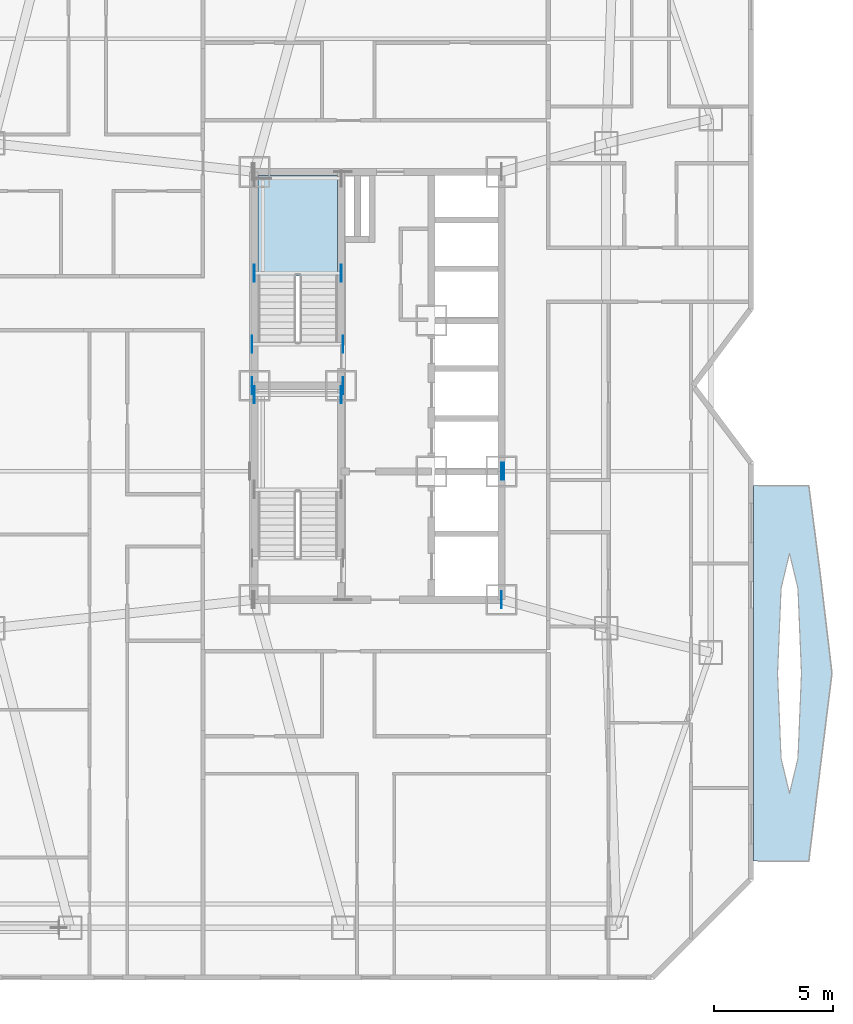
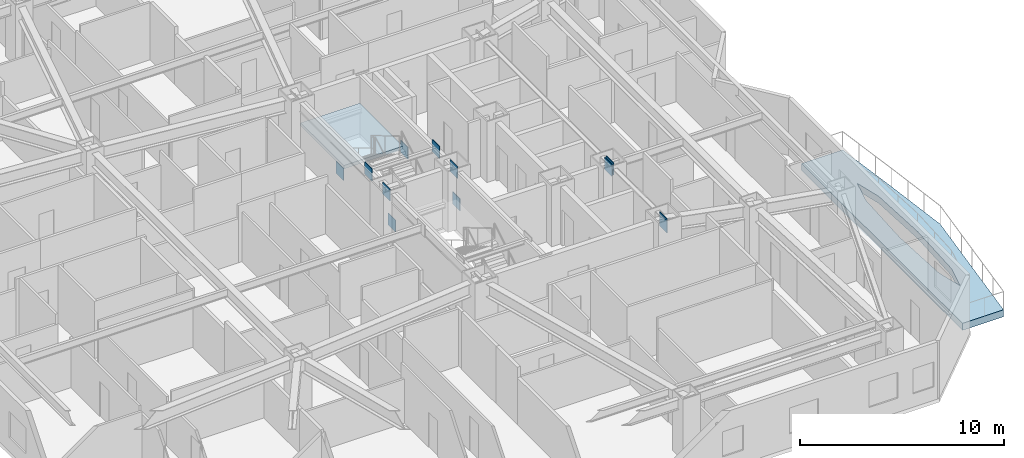
# One storey, part 4 of 16: 12 plates, 2 slabs, 1 element without a shape of its own.
"""IFC4 building model written with IfcOpenShell, lengths in metres."""

from ifc_helpers import new_model, si_unit, direction, frame, origin, origin_2d, place, context, subcontext, project, spatial, polyline, rectangle, outline, extrude, material, layer, layer_set, type_object, element, aggregate, save


model = new_model("IFC4")

# Units and contexts
model_context = context("Model", 3, precision=1e-05, world=origin(), true_north=direction((0.0, 1.0)))
body_context = subcontext(model_context, "Body", "Model", "MODEL_VIEW")
ifc_project = project(units=[si_unit("LENGTHUNIT", "METRE"), si_unit("AREAUNIT", "SQUARE_METRE"), si_unit("VOLUMEUNIT", "CUBIC_METRE"), si_unit("PLANEANGLEUNIT", "RADIAN"), si_unit("MASSUNIT", "GRAM", prefix="KILO")], contexts=[model_context])

# Site, building, storey
site_placement = place(None, origin())
site = spatial("IfcSite", under=ifc_project, at=site_placement, CompositionType="ELEMENT")
building_placement = place(site_placement, origin())
building = spatial("IfcBuilding", under=site, at=building_placement, Name="Khamvora Tower", CompositionType="ELEMENT")
storey_placement = place(building_placement, frame((0.0, 0.0, 77.10009765625)))
storey = spatial("IfcBuildingStorey", under=building, at=storey_placement, Name="L19", CompositionType="ELEMENT", Elevation=77.10009765625)

# Plates
ifc_material_1 = material(Name="Steel S460", Category="steel")
ifc_layer_1 = layer(ifc_material_1, 0.034912109375)
ifc_layer_set_1 = layer_set([ifc_layer_1], Name="Steel S460")
plate_type = type_object("IfcPlateType", Name="PL-EMB-35", PredefinedType="SHEET", material=ifc_layer_set_1)
for number, where, z_axis, x_axis, name in (
    (1, (29.0, 27.6298828125, 1.1337890625), (0.0, 0.0, 1.0), (1.0, 0.0, 0.0), "L19 core shear wall cast-in embed plate 0564"),
    (2, (32.64990234375, 27.6298828125, 1.1337890625), (0.0, 0.0, 1.0), (1.0, 0.0, 0.0), "L19 core shear wall cast-in embed plate 0565"),
    (3, (29.0, 32.735107421875, 1.1337890625), (0.0, 0.0, 1.0), (1.0, 0.0, 0.0), "L19 core shear wall cast-in embed plate 0566"),
    (4, (32.64990234375, 32.735107421875, 1.1337890625), (0.0, 0.0, 1.0), (1.0, 0.0, 0.0), "L19 core shear wall cast-in embed plate 0567"),
    (5, (39.39990234375, 19.0, 2.68408203125), (0.0, 0.0, 1.0), (1.0, 0.0, 0.0), "L19 core shear wall cast-in embed plate 0573"),
    (6, (28.89990234375, 28.0, 2.8037109375), (0.0, 0.0, 1.0), (1.0, 0.0, 0.0), "L19 core shear wall cast-in embed plate 0576"),
    (7, (32.72998046875, 28.0, 2.8037109375), (0.0, 0.0, 1.0), (1.0, 0.0, 0.0), "L19 core shear wall cast-in embed plate 0579"),
    (8, (39.39990234375, 19.0, 2.8037109375), (0.0, 0.0, 1.0), (1.0, 0.0, 0.0), "L19 core shear wall cast-in embed plate 0581"),
    (9, (39.39990234375, 24.39990234375, 2.8037109375), (0.0, 0.0, 1.0), (1.0, 0.0, 0.0), "L19 core shear wall cast-in embed plate 0582"),
    (10, (28.89990234375, 29.75, 2.94384765625), (0.0, 0.0, 1.0), (1.0, 0.0, 0.0), "L19 core shear wall cast-in embed plate 0586"),
    (11, (32.72998046875, 29.75, 2.94384765625), (0.0, 0.0, 1.0), (1.0, 0.0, 0.0), "L19 core shear wall cast-in embed plate 0587"),
    (12, (39.4990234375, 24.39990234375, 2.83984375), (0.0, 0.0, 1.0), (1.0, 0.0, 0.0), "L19 core shear wall cast-in embed plate 0589"),
):
    element("IfcPlate", number, at=place(storey_placement, frame(where, z_axis=z_axis, x_axis=x_axis)), inside=storey, type_object=plate_type, Name=name, PredefinedType="SHEET", context=body_context, shape_type="SweptSolid", body=[
        extrude(rectangle(XDim=0.034912109375, YDim=0.719970703125, at=origin_2d()), origin(), (0.0, 0.0, 1.0), 0.719970703125),
    ])

# Slab
ifc_material_2 = material(Name="Concrete C40/50", Category="concrete")
ifc_layer_2 = layer(ifc_material_2, 0.419921875)
ifc_layer_set_2 = layer_set([ifc_layer_2], Name="Concrete C40/50")
slab_type_1 = type_object("IfcSlabType", Name="SLB-GRD-420", PredefinedType="FLOOR", material=ifc_layer_set_2)
slab_1_placement = place(storey_placement, frame((0.0, 0.0, -0.420166015625)))
element("IfcSlab", 13, at=slab_1_placement, inside=storey, type_object=slab_type_1, Name="L19 external lens gallery slab EL1", PredefinedType="FLOOR", context=body_context, shape_type="SweptSolid", body=[
    extrude(outline(polyline([(52.324951171875, 8.0), (52.81005859375, 11.949951171875), (53.300048828125, 15.89990234375), (52.833984375, 19.85009765625), (52.325927734375, 23.800048828125), (50.0, 23.800048828125), (50.0, 8.0), (52.324951171875, 8.0)]), holes=[polyline([(52.01904296875, 15.89990234375), (51.87109375, 19.47509765625), (51.514892578125, 20.9560546875), (51.158935546875, 19.47509765625), (51.010986328125, 15.89990234375), (51.158935546875, 12.324951171875), (51.514892578125, 10.843994140625), (51.87109375, 12.324951171875), (52.01904296875, 15.89990234375)])]), origin(), (0.0, 0.0, 1.0), 0.420166015625),
])

# Stair, slab
stair_type = type_object("IfcStairType", Name="STR-ST-02", PredefinedType="HALF_TURN_STAIR", material=ifc_material_2)
stair_placement = place(storey_placement, origin())
stair = element("IfcStair", 14, at=stair_placement, inside=storey, type_object=stair_type, Name="L19 North Tower Exit Stair ST-02", PredefinedType="HALF_TURN_STAIR")
ifc_layer_3 = layer(ifc_material_2, 0.199951171875)
ifc_layer_set_3 = layer_set([ifc_layer_3], Name="Concrete C40/50")
slab_type_2 = type_object("IfcSlabType", Name="SLB-LND-200", PredefinedType="LANDING", material=ifc_layer_set_3)
slab_2_placement = place(storey_placement, frame((0.0, 0.0, 1.625)))
slab_2 = element("IfcSlab", 15, at=slab_2_placement, type_object=slab_type_2, Name="ST-02 landing 1", PredefinedType="LANDING", context=body_context, shape_type="SweptSolid", body=[
    extrude(outline(polyline([(32.5, 32.614990234375), (32.5, 36.85009765625), (29.14990234375, 36.85009765625), (29.14990234375, 32.614990234375), (32.5, 32.614990234375)])), origin(), (0.0, 0.0, 1.0), 0.199951171875),
])
aggregate(stair, [slab_2])

save(model, "model.ifc")
